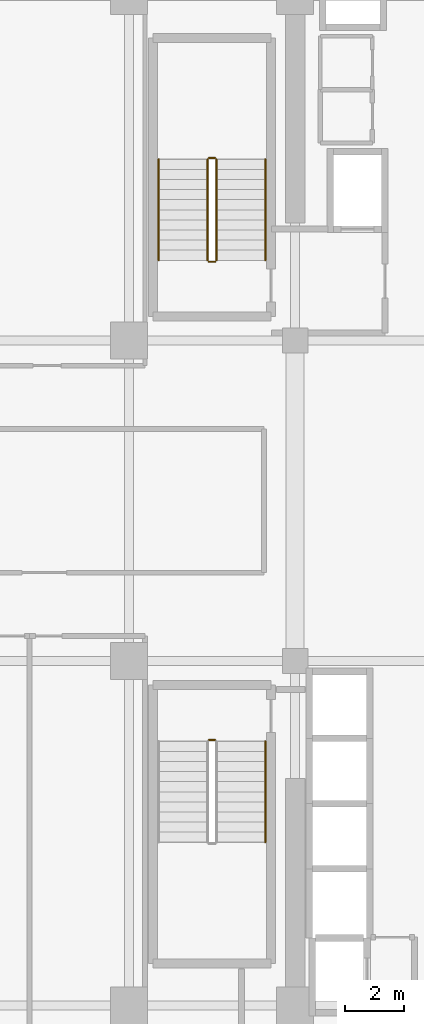
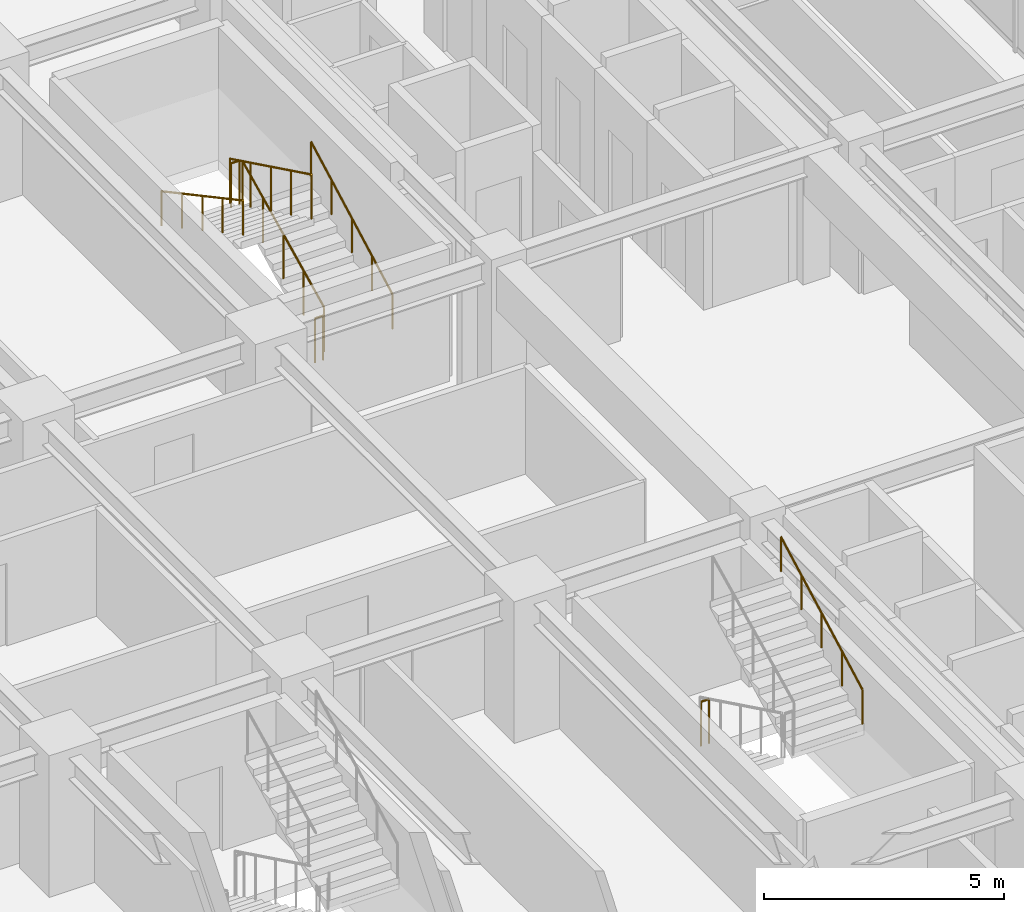
# One storey, part 30 of 31: 8 railings.
"""IFC4 building model written with IfcOpenShell, lengths in metres."""

from ifc_helpers import new_model, si_unit, direction, frame, origin, origin_2d, place, context, subcontext, project, spatial, circle, extrude, material, type_object, element, save


model = new_model("IFC4")

# Units and contexts
model_context = context("Model", 3, precision=1e-05, world=origin(), true_north=direction((0.0, 1.0)))
body_context = subcontext(model_context, "Body", "Model", "MODEL_VIEW")
ifc_project = project(units=[si_unit("LENGTHUNIT", "METRE"), si_unit("AREAUNIT", "SQUARE_METRE"), si_unit("VOLUMEUNIT", "CUBIC_METRE"), si_unit("PLANEANGLEUNIT", "RADIAN"), si_unit("MASSUNIT", "GRAM", prefix="KILO")], contexts=[model_context])

# Site, building, storey
site_placement = place(None, origin())
site = spatial("IfcSite", under=ifc_project, at=site_placement, CompositionType="ELEMENT")
building_placement = place(site_placement, origin())
building = spatial("IfcBuilding", under=site, at=building_placement, Name="Nahalor Promenade Grand Hotel", CompositionType="ELEMENT")
storey_placement = place(building_placement, frame((0.0, 0.0, 95.60009765625)))
storey = spatial("IfcBuildingStorey", under=building, at=storey_placement, Name="L23", CompositionType="ELEMENT", Elevation=95.60009765625)

# Railings
ifc_material = material(Name="Steel S355JR", Category="steel")
railing_type_1 = type_object("IfcRailingType", Name="Steel Stair Guardrail 1150 mm", PredefinedType="GUARDRAIL", material=ifc_material)
railing_1_placement = place(storey_placement, frame((5.75, 8.10009765625, 0.165771484375)))
element("IfcRailing", 1, at=railing_1_placement, inside=storey, type_object=railing_type_1, Name="L23 ST1 stair guard 1", PredefinedType="GUARDRAIL", context=body_context, shape_type="SweptSolid", body=[
    extrude(circle(Radius=0.024048, at=origin_2d()), frame((0.0, 0.0, 1.1259765625), z_axis=(0.0, 0.898696488221, 0.438571114028), x_axis=(-1.0, 0.0, 0.0)), (0.0, 0.0, 1.0), 3.783203125),
    extrude(circle(Radius=0.020996, at=origin_2d()), origin(), (0.0, 0.0, 1.0), 1.099853515625),
    extrude(circle(Radius=0.020996, at=origin_2d()), frame((0.0, 0.85009765625, 0.414794921875)), (0.0, 0.0, 1.0), 1.099853515625),
    extrude(circle(Radius=0.020996, at=origin_2d()), frame((0.0, 1.699951171875, 0.82958984375)), (0.0, 0.0, 1.0), 1.099853515625),
    extrude(circle(Radius=0.020996, at=origin_2d()), frame((0.0, 2.5498046875, 1.244384765625)), (0.0, 0.0, 1.0), 1.099853515625),
    extrude(circle(Radius=0.020996, at=origin_2d()), frame((0.0, 3.39990234375, 1.6591796875)), (0.0, 0.0, 1.0), 1.099853515625),
])
railing_2_placement = place(storey_placement, frame((5.699951171875, 11.550048828125, 1.824951171875)))
element("IfcRailing", 2, at=railing_2_placement, inside=storey, type_object=railing_type_1, Name="L23 ST1 stair guard 2", PredefinedType="GUARDRAIL", context=body_context, shape_type="SweptSolid", body=[
    extrude(circle(Radius=0.024048, at=origin_2d()), frame((0.0, 0.0, 1.1259765625), z_axis=(-1.0, 0.0, 0.0), x_axis=(0.0, -1.0, 0.0)), (0.0, 0.0, 1.0), 0.199951171875),
    extrude(circle(Radius=0.020996, at=origin_2d()), origin(), (0.0, 0.0, 1.0), 1.099853515625),
    extrude(circle(Radius=0.020996, at=origin_2d()), frame((-0.199951171875, 0.0, 0.0)), (0.0, 0.0, 1.0), 1.099853515625),
])
railing_3_placement = place(storey_placement, frame((5.449951171875, 11.5, 1.99072265625)))
element("IfcRailing", 3, at=railing_3_placement, inside=storey, type_object=railing_type_1, Name="L23 ST1 stair guard 3", PredefinedType="GUARDRAIL", context=body_context, shape_type="SweptSolid", body=[
    extrude(circle(Radius=0.024048, at=origin_2d()), frame((0.0, 0.0, 1.1259765625), z_axis=(0.0, -0.898696488221, 0.438571114028), x_axis=(1.0, 0.0, 0.0)), (0.0, 0.0, 1.0), 3.783203125),
    extrude(circle(Radius=0.020996, at=origin_2d()), origin(), (0.0, 0.0, 1.0), 1.099853515625),
    extrude(circle(Radius=0.020996, at=origin_2d()), frame((0.0, -0.85009765625, 0.414794921875)), (0.0, 0.0, 1.0), 1.099853515625),
    extrude(circle(Radius=0.020996, at=origin_2d()), frame((0.0, -1.699951171875, 0.82958984375)), (0.0, 0.0, 1.0), 1.099853515625),
    extrude(circle(Radius=0.020996, at=origin_2d()), frame((0.0, -2.5498046875, 1.244384765625)), (0.0, 0.0, 1.0), 1.099853515625),
    extrude(circle(Radius=0.020996, at=origin_2d()), frame((0.0, -3.39990234375, 1.6591796875)), (0.0, 0.0, 1.0), 1.099853515625),
])
railing_4_placement = place(storey_placement, frame((5.699951171875, 8.050048828125, 0.0)))
element("IfcRailing", 4, at=railing_4_placement, inside=storey, type_object=railing_type_1, Name="L23 ST1 stair guard 4", PredefinedType="GUARDRAIL", context=body_context, shape_type="SweptSolid", body=[
    extrude(circle(Radius=0.024048, at=origin_2d()), frame((0.0, 0.0, 1.1259765625), z_axis=(-1.0, 0.0, 0.0), x_axis=(0.0, -1.0, 0.0)), (0.0, 0.0, 1.0), 0.199951171875),
    extrude(circle(Radius=0.020996, at=origin_2d()), origin(), (0.0, 0.0, 1.0), 1.099853515625),
    extrude(circle(Radius=0.020996, at=origin_2d()), frame((-0.199951171875, 0.0, 0.0)), (0.0, 0.0, 1.0), 1.099853515625),
])
railing_5_placement = place(storey_placement, frame((5.5, -8.050048828125, 0.0)))
element("IfcRailing", 5, at=railing_5_placement, inside=storey, type_object=railing_type_1, Name="L23 ST2 stair guard 4", PredefinedType="GUARDRAIL", context=body_context, shape_type="SweptSolid", body=[
    extrude(circle(Radius=0.024048, at=origin_2d()), frame((0.0, 0.0, 1.1259765625), z_axis=(1.0, 0.0, 0.0), x_axis=(0.0, 1.0, 0.0)), (0.0, 0.0, 1.0), 0.199951171875),
    extrude(circle(Radius=0.020996, at=origin_2d()), origin(), (0.0, 0.0, 1.0), 1.099853515625),
    extrude(circle(Radius=0.020996, at=origin_2d()), frame((0.199951171875, 0.0, 0.0)), (0.0, 0.0, 1.0), 1.099853515625),
])
railing_type_2 = type_object("IfcRailingType", Name="Steel Stair Handrail 900 mm", PredefinedType="HANDRAIL", material=ifc_material)
railing_6_placement = place(storey_placement, frame((7.39990234375, 8.10009765625, 0.165771484375)))
element("IfcRailing", 6, at=railing_6_placement, inside=storey, type_object=railing_type_2, Name="L23 ST1 stair handrail 1", PredefinedType="HANDRAIL", context=body_context, shape_type="SweptSolid", body=[
    extrude(circle(Radius=0.024048, at=origin_2d()), frame((0.0, 0.0, 0.8759765625), z_axis=(0.0, 0.881094038095, 0.47294111265), x_axis=(-1.0, 0.0, 0.0)), (0.0, 0.0, 1.0), 3.858642578125),
    extrude(circle(Radius=0.020996, at=origin_2d()), origin(), (0.0, 0.0, 1.0), 0.849853515625),
    extrude(circle(Radius=0.020996, at=origin_2d()), frame((0.0, 0.85009765625, 0.456298828125)), (0.0, 0.0, 1.0), 0.849853515625),
    extrude(circle(Radius=0.020996, at=origin_2d()), frame((0.0, 1.699951171875, 0.91259765625)), (0.0, 0.0, 1.0), 0.849853515625),
    extrude(circle(Radius=0.020996, at=origin_2d()), frame((0.0, 2.5498046875, 1.36865234375)), (0.0, 0.0, 1.0), 0.849853515625),
    extrude(circle(Radius=0.020996, at=origin_2d()), frame((0.0, 3.39990234375, 1.824951171875)), (0.0, 0.0, 1.0), 0.849853515625),
])
railing_7_placement = place(storey_placement, frame((3.800048828125, 11.5, 1.99072265625)))
element("IfcRailing", 7, at=railing_7_placement, inside=storey, type_object=railing_type_2, Name="L23 ST1 stair handrail 2", PredefinedType="HANDRAIL", context=body_context, shape_type="SweptSolid", body=[
    extrude(circle(Radius=0.024048, at=origin_2d()), frame((0.0, 0.0, 0.8759765625), z_axis=(0.0, -0.881067672671, 0.472990228413), x_axis=(1.0, 0.0, 0.0)), (0.0, 0.0, 1.0), 3.85888671875),
    extrude(circle(Radius=0.020996, at=origin_2d()), origin(), (0.0, 0.0, 1.0), 0.849853515625),
    extrude(circle(Radius=0.020996, at=origin_2d()), frame((0.0, -0.85009765625, 0.456298828125)), (0.0, 0.0, 1.0), 0.849853515625),
    extrude(circle(Radius=0.020996, at=origin_2d()), frame((0.0, -1.699951171875, 0.91259765625)), (0.0, 0.0, 1.0), 0.849853515625),
    extrude(circle(Radius=0.020996, at=origin_2d()), frame((0.0, -2.5498046875, 1.368896484375)), (0.0, 0.0, 1.0), 0.849853515625),
    extrude(circle(Radius=0.020996, at=origin_2d()), frame((0.0, -3.39990234375, 1.8251953125)), (0.0, 0.0, 1.0), 0.849853515625),
])
railing_8_placement = place(storey_placement, frame((7.39990234375, -11.5, 1.99072265625)))
element("IfcRailing", 8, at=railing_8_placement, inside=storey, type_object=railing_type_2, Name="L23 ST2 stair handrail 2", PredefinedType="HANDRAIL", context=body_context, shape_type="SweptSolid", body=[
    extrude(circle(Radius=0.024048, at=origin_2d()), frame((0.0, 0.0, 0.8759765625), z_axis=(0.0, 0.881067672671, 0.472990228413), x_axis=(-1.0, 0.0, 0.0)), (0.0, 0.0, 1.0), 3.85888671875),
    extrude(circle(Radius=0.020996, at=origin_2d()), origin(), (0.0, 0.0, 1.0), 0.849853515625),
    extrude(circle(Radius=0.020996, at=origin_2d()), frame((0.0, 0.85009765625, 0.456298828125)), (0.0, 0.0, 1.0), 0.849853515625),
    extrude(circle(Radius=0.020996, at=origin_2d()), frame((0.0, 1.699951171875, 0.91259765625)), (0.0, 0.0, 1.0), 0.849853515625),
    extrude(circle(Radius=0.020996, at=origin_2d()), frame((0.0, 2.5498046875, 1.368896484375)), (0.0, 0.0, 1.0), 0.849853515625),
    extrude(circle(Radius=0.020996, at=origin_2d()), frame((0.0, 3.39990234375, 1.8251953125)), (0.0, 0.0, 1.0), 0.849853515625),
])

save(model, "model.ifc")
